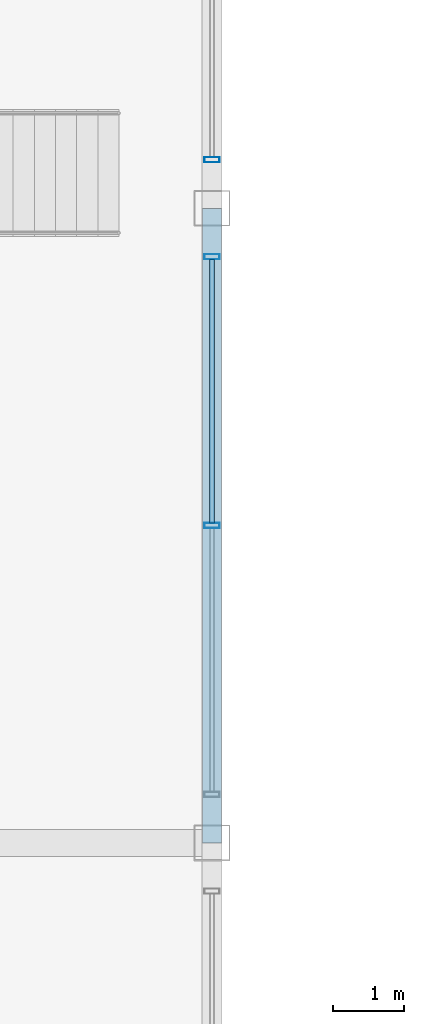
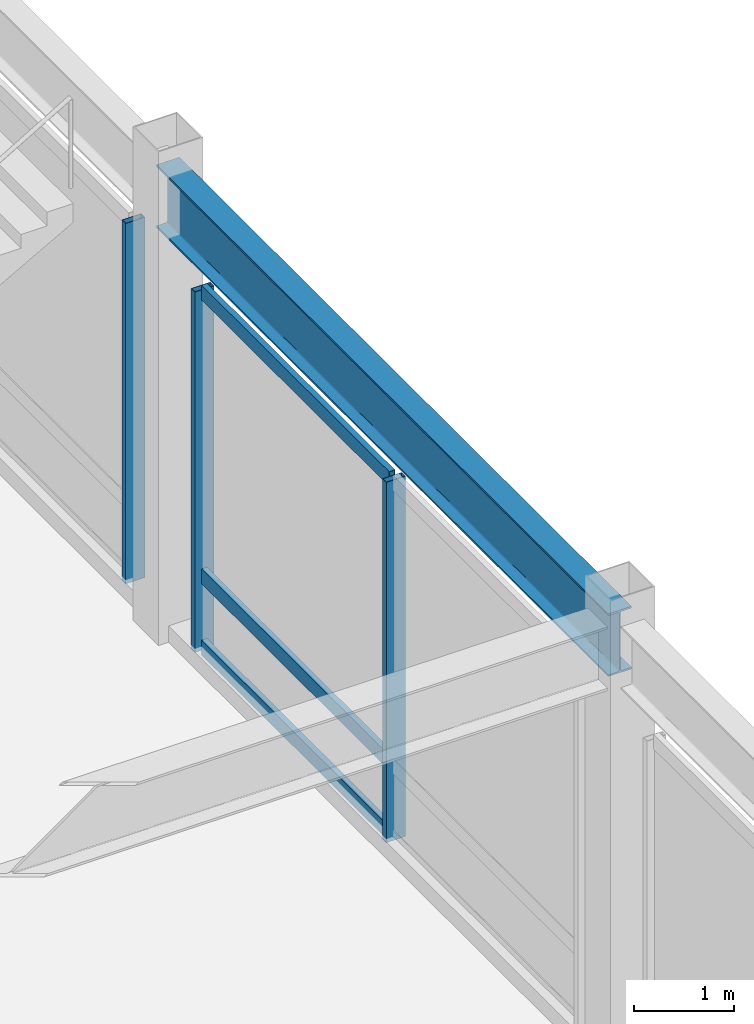
# One storey, part 63 of 108: 6 members, 1 beam, 2 elements without a shape of their own.
"""IFC4 building model written with IfcOpenShell, lengths in metres."""

from ifc_helpers import new_model, si_unit, direction, frame, origin, origin_2d, place, context, subcontext, project, spatial, hollow_rectangle, i_section, extrude, material, material_profile, profile_set, type_object, element, aggregate, save


model = new_model("IFC4")

# Units and contexts
model_context = context("Model", 3, precision=1e-05, world=origin(), true_north=direction((0.0, 1.0)))
body_context = subcontext(model_context, "Body", "Model", "MODEL_VIEW")
ifc_project = project(units=[si_unit("LENGTHUNIT", "METRE"), si_unit("AREAUNIT", "SQUARE_METRE"), si_unit("VOLUMEUNIT", "CUBIC_METRE"), si_unit("PLANEANGLEUNIT", "RADIAN"), si_unit("MASSUNIT", "GRAM", prefix="KILO")], contexts=[model_context])

# Site, building, storey
site_placement = place(None, origin())
site = spatial("IfcSite", under=ifc_project, at=site_placement, CompositionType="ELEMENT")
building_placement = place(site_placement, origin())
building = spatial("IfcBuilding", under=site, at=building_placement, Name="Kaldorvane Square Convention Centre", CompositionType="ELEMENT")
storey_placement = place(building_placement, frame((0.0, 0.0, 12.0)))
storey = spatial("IfcBuildingStorey", under=building, at=storey_placement, Name="L02", CompositionType="ELEMENT", Elevation=12.0)

# Beam
ifc_material_1 = material(Name="Steel ASTM A992 Gr. 50", Category="steel")
ifc_material_profile_1 = material_profile(ifc_material_1, i_section(OverallWidth=0.2666015625, OverallDepth=0.762298583984375, WebThickness=0.014404296875, FlangeThickness=0.0216064453125, FilletRadius=0.0164947509765625, at=origin_2d()), Name="W30X116")
ifc_profile_set_1 = profile_set([ifc_material_profile_1], Name="Steel ASTM A992 Gr. 50")
beam_type = type_object("IfcBeamType", Name="BM-GR-W30X116", PredefinedType="BEAM", material=ifc_profile_set_1)
beam_placement = place(storey_placement, frame((138.0, 54.0, 5.264801025390625), z_axis=(0.0, 1.0, 0.0), x_axis=(-1.0, 0.0, 0.0)))
element("IfcBeam", 1, at=beam_placement, inside=storey, type_object=beam_type, Name="Transverse Girder (L02)", PredefinedType="BEAM", context=body_context, shape_type="SweptSolid", body=[
    extrude(i_section(OverallWidth=0.2666015625, OverallDepth=0.762298583984375, WebThickness=0.014404296875, FlangeThickness=0.0216064453125, FilletRadius=0.0164947509765625, at=origin_2d()), origin(), (0.0, 0.0, 1.0), 9.0),
])

# Curtain wall, members
ifc_material_2 = material(Name="Anodized Aluminum and Low-E Insulated Glazing", Category="aluminium")
curtain_wall_type = type_object("IfcCurtainWallType", Name="CW-PTS-FC-60", PredefinedType="USERDEFINED", material=ifc_material_2)
curtain_wall_1_placement = place(storey_placement, origin())
curtain_wall_1 = element("IfcCurtainWall", 2, at=curtain_wall_1_placement, inside=storey, type_object=curtain_wall_type, Name="Curtain Wall CW-07 (L02)", ObjectType="POINT SUPPORTED GLAZING", PredefinedType="USERDEFINED")
ifc_material_profile_2 = material_profile(ifc_material_2, hollow_rectangle(XDim=0.0749969482421875, YDim=0.220001220703125, WallThickness=0.003997802734375, at=origin_2d()), Name="CWM-220X75")
ifc_profile_set_2 = profile_set([ifc_material_profile_2], Name="Anodized Aluminum and Low-E Insulated Glazing")
member_type_1 = type_object("IfcMemberType", Name="CW-MUL-220", PredefinedType="MULLION", material=ifc_profile_set_2)
member_1_placement = place(storey_placement, frame((138.0, 58.5, 0.149993896484375), z_axis=(0.0, 0.0, 1.0), x_axis=(0.0, 1.0, 0.0)))
member_1 = element("IfcMember", 3, at=member_1_placement, type_object=member_type_1, Name="CW-07 mullion 2", PredefinedType="MULLION", context=body_context, shape_type="SweptSolid", body=[
    extrude(hollow_rectangle(XDim=0.0749969482421875, YDim=0.220001220703125, WallThickness=0.003997802734375, at=origin_2d()), origin(), (0.0, 0.0, 1.0), 4.3800048828125),
])
member_2_placement = place(storey_placement, frame((138.0, 62.3125, 0.149993896484375), z_axis=(0.0, 0.0, 1.0), x_axis=(0.0, 1.0, 0.0)))
member_2 = element("IfcMember", 4, at=member_2_placement, type_object=member_type_1, Name="CW-07 mullion 3", PredefinedType="MULLION", context=body_context, shape_type="SweptSolid", body=[
    extrude(hollow_rectangle(XDim=0.0749969482421875, YDim=0.220001220703125, WallThickness=0.003997802734375, at=origin_2d()), origin(), (0.0, 0.0, 1.0), 4.3800048828125),
])

# Curtain wall, member
curtain_wall_2_placement = place(storey_placement, origin())
curtain_wall_2 = element("IfcCurtainWall", 5, at=curtain_wall_2_placement, inside=storey, type_object=curtain_wall_type, Name="Curtain Wall CW-07 (L02)", ObjectType="POINT SUPPORTED GLAZING", PredefinedType="USERDEFINED")
member_3_placement = place(storey_placement, frame((138.0, 63.6875, 0.149993896484375), z_axis=(0.0, 0.0, 1.0), x_axis=(0.0, 1.0, 0.0)))
member_3 = element("IfcMember", 6, at=member_3_placement, type_object=member_type_1, Name="CW-07 mullion 1", PredefinedType="MULLION", context=body_context, shape_type="SweptSolid", body=[
    extrude(hollow_rectangle(XDim=0.0749969482421875, YDim=0.220001220703125, WallThickness=0.003997802734375, at=origin_2d()), origin(), (0.0, 0.0, 1.0), 4.3800048828125),
])
aggregate(curtain_wall_2, [member_3])

# Member
ifc_material_profile_3 = material_profile(ifc_material_2, hollow_rectangle(XDim=0.06500244140625, YDim=0.17999267578125, WallThickness=0.0034942626953125, at=origin_2d()), Name="CWT-180X65")
ifc_profile_set_3 = profile_set([ifc_material_profile_3], Name="Anodized Aluminum and Low-E Insulated Glazing")
member_type_2 = type_object("IfcMemberType", Name="CW-TRN-180", PredefinedType="USERDEFINED", material=ifc_profile_set_3)
member_4_placement = place(storey_placement, frame((138.0, 58.537506103515625, 0.1824951171875), z_axis=(0.0, 1.0, 0.0), x_axis=(-1.0, 0.0, 0.0)))
member_4 = element("IfcMember", 7, at=member_4_placement, type_object=member_type_2, Name="CW-07 transom 2.1", ObjectType="TRANSOM", PredefinedType="USERDEFINED", context=body_context, shape_type="SweptSolid", body=[
    extrude(hollow_rectangle(XDim=0.06500244140625, YDim=0.17999267578125, WallThickness=0.0034942626953125, at=origin_2d()), origin(), (0.0, 0.0, 1.0), 3.73748779296875),
])

member_5_placement = place(storey_placement, frame((138.0, 58.537506103515625, 1.0500030517578125), z_axis=(0.0, 1.0, 0.0), x_axis=(-1.0, 0.0, 0.0)))
member_5 = element("IfcMember", 8, at=member_5_placement, type_object=member_type_2, Name="CW-07 transom 2.2", ObjectType="TRANSOM", PredefinedType="USERDEFINED", context=body_context, shape_type="SweptSolid", body=[
    extrude(hollow_rectangle(XDim=0.06500244140625, YDim=0.17999267578125, WallThickness=0.0034942626953125, at=origin_2d()), origin(), (0.0, 0.0, 1.0), 3.73748779296875),
])

member_6_placement = place(storey_placement, frame((138.0, 58.537506103515625, 4.49749755859375), z_axis=(0.0, 1.0, 0.0), x_axis=(-1.0, 0.0, 0.0)))
member_6 = element("IfcMember", 9, at=member_6_placement, type_object=member_type_2, Name="CW-07 transom 2.3", ObjectType="TRANSOM", PredefinedType="USERDEFINED", context=body_context, shape_type="SweptSolid", body=[
    extrude(hollow_rectangle(XDim=0.06500244140625, YDim=0.17999267578125, WallThickness=0.0034942626953125, at=origin_2d()), origin(), (0.0, 0.0, 1.0), 3.73748779296875),
])

aggregate(curtain_wall_1, [member_1, member_2, member_4, member_5, member_6])

save(model, "model.ifc")
